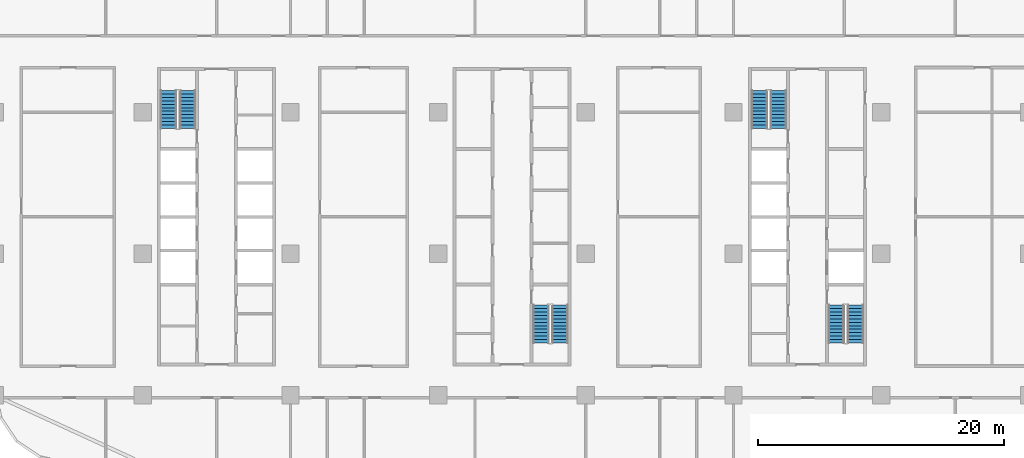
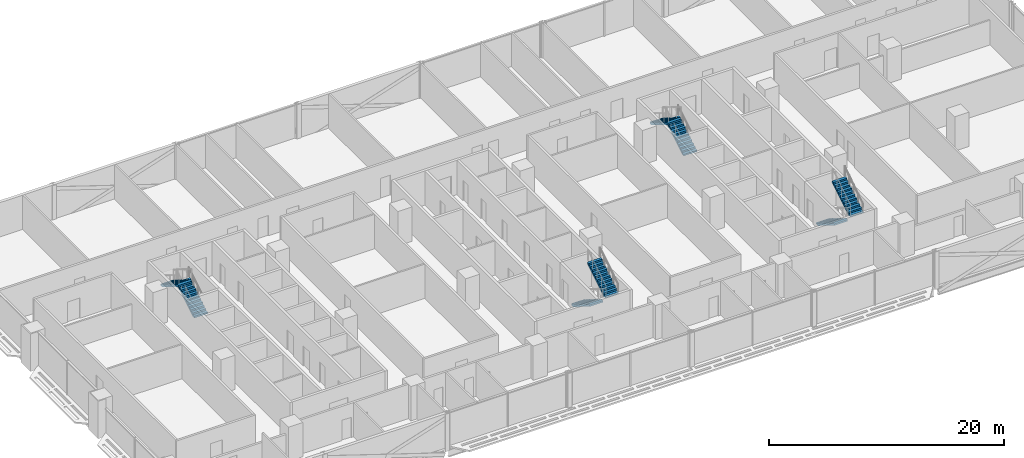
# One storey, part 18 of 29: 8 stair flights, 4 elements without a shape of their own.
"""IFC4 building model written with IfcOpenShell, lengths in metres."""

from ifc_helpers import new_model, si_unit, direction, frame, origin, place, context, subcontext, project, spatial, polyline, outline, extrude, material, type_object, element, aggregate, save


model = new_model("IFC4")

# Units and contexts
model_context = context("Model", 3, precision=1e-05, world=origin(), true_north=direction((0.0, 1.0)))
body_context = subcontext(model_context, "Body", "Model", "MODEL_VIEW")
ifc_project = project(units=[si_unit("LENGTHUNIT", "METRE"), si_unit("AREAUNIT", "SQUARE_METRE"), si_unit("VOLUMEUNIT", "CUBIC_METRE"), si_unit("PLANEANGLEUNIT", "RADIAN"), si_unit("MASSUNIT", "GRAM", prefix="KILO")], contexts=[model_context])

# Site, building, storey
site_placement = place(None, origin())
site = spatial("IfcSite", under=ifc_project, at=site_placement, CompositionType="ELEMENT")
building_placement = place(site_placement, origin())
building = spatial("IfcBuilding", under=site, at=building_placement, Name="Mahtab Terrace Research Tower", CompositionType="ELEMENT")
storey_placement = place(building_placement, frame((0.0, 0.0, 113.5)))
storey = spatial("IfcBuildingStorey", under=building, at=storey_placement, Name="L26", CompositionType="ELEMENT", Elevation=113.5)

# Stair, stair flights
ifc_material_1 = material(Name="Exit stair half-turn")
stair_type = type_object("IfcStairType", Name="Exit stair half-turn", PredefinedType="HALF_TURN_STAIR", material=ifc_material_1)
stair_1_placement = place(storey_placement, origin())
stair_1 = element("IfcStair", 1, at=stair_1_placement, inside=storey, type_object=stair_type, Name="L26 Protected exit stair ST1", PredefinedType="HALF_TURN_STAIR")
ifc_material_2 = material(Name="Concrete C40/50", Category="concrete")
stair_flight_type = type_object("IfcStairFlightType", Name="Exit stair flight 1300", PredefinedType="STRAIGHT", material=ifc_material_2)
stair_flight_1_placement = place(storey_placement, frame((-26.35009765625, 10.175048828125, 0.0), z_axis=(0.0, 0.0, 1.0), x_axis=(0.0, 1.0, 0.0)))
stair_flight_1 = element("IfcStairFlight", 2, at=stair_flight_1_placement, type_object=stair_flight_type, Name="ST1 flight 1", NumberOfRisers=12, NumberOfTreads=11, PredefinedType="STRAIGHT", RiserHeight=0.170833333, TreadLength=0.28, context=body_context, shape_type="SweptSolid", body=[
    extrude(outline(polyline([(0.0, 0.0), (0.0, 0.1708984375), (0.280029296875, 0.1708984375), (0.280029296875, 0.341552734375), (0.56005859375, 0.341552734375), (0.56005859375, 0.512451171875), (0.840087890625, 0.512451171875), (0.840087890625, 0.683349609375), (1.1201171875, 0.683349609375), (1.1201171875, 0.854248046875), (1.39990234375, 0.854248046875), (1.39990234375, 1.02490234375), (1.679931640625, 1.02490234375), (1.679931640625, 1.19580078125), (1.9599609375, 1.19580078125), (1.9599609375, 1.36669921875), (2.239990234375, 1.36669921875), (2.239990234375, 1.53759765625), (2.52001953125, 1.53759765625), (2.52001953125, 1.708251953125), (2.800048828125, 1.708251953125), (2.800048828125, 1.879150390625), (3.080078125, 1.879150390625), (3.080078125, 2.050048828125), (3.080078125, 1.70361328125), (0.287841796875, 0.0), (0.0, 0.0)])), frame((0.0, 0.64990234375, 0.0), z_axis=(0.0, -1.0, 0.0), x_axis=(1.0, 0.0, 0.0)), (0.0, 0.0, 1.0), 1.300048828125),
])
stair_flight_2_placement = place(storey_placement, frame((-27.89990234375, 13.2548828125, 2.050048828125), z_axis=(0.0, 0.0, 1.0), x_axis=(0.0, -1.0, 0.0)))
stair_flight_2 = element("IfcStairFlight", 3, at=stair_flight_2_placement, type_object=stair_flight_type, Name="ST1 flight 2", NumberOfRisers=12, NumberOfTreads=11, PredefinedType="STRAIGHT", RiserHeight=0.170833333, TreadLength=0.28, context=body_context, shape_type="SweptSolid", body=[
    extrude(outline(polyline([(0.0, 0.0), (0.0, 0.1708984375), (0.280029296875, 0.1708984375), (0.280029296875, 0.341552734375), (0.56005859375, 0.341552734375), (0.56005859375, 0.512451171875), (0.840087890625, 0.512451171875), (0.840087890625, 0.683349609375), (1.1201171875, 0.683349609375), (1.1201171875, 0.854248046875), (1.39990234375, 0.854248046875), (1.39990234375, 1.02490234375), (1.679931640625, 1.02490234375), (1.679931640625, 1.19580078125), (1.9599609375, 1.19580078125), (1.9599609375, 1.36669921875), (2.239990234375, 1.36669921875), (2.239990234375, 1.53759765625), (2.52001953125, 1.53759765625), (2.52001953125, 1.708251953125), (2.800048828125, 1.708251953125), (2.800048828125, 1.879150390625), (3.080078125, 1.879150390625), (3.080078125, 2.050048828125), (3.080078125, 1.70361328125), (0.287841796875, 0.0), (0.0, 0.0)])), frame((0.0, 0.64990234375, 0.0), z_axis=(0.0, -1.0, 0.0), x_axis=(1.0, 0.0, 0.0)), (0.0, 0.0, 1.0), 1.300048828125),
])
aggregate(stair_1, [stair_flight_1, stair_flight_2])

stair_2_placement = place(storey_placement, origin())
stair_2 = element("IfcStair", 4, at=stair_2_placement, inside=storey, type_object=stair_type, Name="L26 Protected exit stair ST2", PredefinedType="HALF_TURN_STAIR")
stair_flight_3_placement = place(storey_placement, frame((2.35009765625, -4.175048828125, 0.0), z_axis=(0.0, 0.0, 1.0), x_axis=(0.0, -1.0, 0.0)))
stair_flight_3 = element("IfcStairFlight", 5, at=stair_flight_3_placement, type_object=stair_flight_type, Name="ST2 flight 1", NumberOfRisers=12, NumberOfTreads=11, PredefinedType="STRAIGHT", RiserHeight=0.170833333, TreadLength=0.28, context=body_context, shape_type="SweptSolid", body=[
    extrude(outline(polyline([(0.0, 0.0), (0.0, 0.1708984375), (0.280029296875, 0.1708984375), (0.280029296875, 0.341552734375), (0.56005859375, 0.341552734375), (0.56005859375, 0.512451171875), (0.840087890625, 0.512451171875), (0.840087890625, 0.683349609375), (1.1201171875, 0.683349609375), (1.1201171875, 0.854248046875), (1.39990234375, 0.854248046875), (1.39990234375, 1.02490234375), (1.679931640625, 1.02490234375), (1.679931640625, 1.19580078125), (1.9599609375, 1.19580078125), (1.9599609375, 1.36669921875), (2.239990234375, 1.36669921875), (2.239990234375, 1.53759765625), (2.52001953125, 1.53759765625), (2.52001953125, 1.708251953125), (2.800048828125, 1.708251953125), (2.800048828125, 1.879150390625), (3.080078125, 1.879150390625), (3.080078125, 2.050048828125), (3.080078125, 1.70361328125), (0.287841796875, 0.0), (0.0, 0.0)])), frame((0.0, 0.64990234375, 0.0), z_axis=(0.0, -1.0, 0.0), x_axis=(1.0, 0.0, 0.0)), (0.0, 0.0, 1.0), 1.300048828125),
])
stair_flight_4_placement = place(storey_placement, frame((3.89990234375, -7.2548828125, 2.050048828125), z_axis=(0.0, 0.0, 1.0), x_axis=(0.0, 1.0, 0.0)))
stair_flight_4 = element("IfcStairFlight", 6, at=stair_flight_4_placement, type_object=stair_flight_type, Name="ST2 flight 2", NumberOfRisers=12, NumberOfTreads=11, PredefinedType="STRAIGHT", RiserHeight=0.170833333, TreadLength=0.28, context=body_context, shape_type="SweptSolid", body=[
    extrude(outline(polyline([(0.0, 0.0), (0.0, 0.1708984375), (0.280029296875, 0.1708984375), (0.280029296875, 0.341552734375), (0.56005859375, 0.341552734375), (0.56005859375, 0.512451171875), (0.840087890625, 0.512451171875), (0.840087890625, 0.683349609375), (1.1201171875, 0.683349609375), (1.1201171875, 0.854248046875), (1.39990234375, 0.854248046875), (1.39990234375, 1.02490234375), (1.679931640625, 1.02490234375), (1.679931640625, 1.19580078125), (1.9599609375, 1.19580078125), (1.9599609375, 1.36669921875), (2.239990234375, 1.36669921875), (2.239990234375, 1.53759765625), (2.52001953125, 1.53759765625), (2.52001953125, 1.708251953125), (2.800048828125, 1.708251953125), (2.800048828125, 1.879150390625), (3.080078125, 1.879150390625), (3.080078125, 2.050048828125), (3.080078125, 1.70361328125), (0.287841796875, 0.0), (0.0, 0.0)])), frame((0.0, 0.64990234375, 0.0), z_axis=(0.0, -1.0, 0.0), x_axis=(1.0, 0.0, 0.0)), (0.0, 0.0, 1.0), 1.300048828125),
])
aggregate(stair_2, [stair_flight_3, stair_flight_4])

stair_3_placement = place(storey_placement, origin())
stair_3 = element("IfcStair", 7, at=stair_3_placement, inside=storey, type_object=stair_type, Name="L26 Protected exit stair ST3", PredefinedType="HALF_TURN_STAIR")
stair_flight_5_placement = place(storey_placement, frame((21.64990234375, 10.175048828125, 0.0), z_axis=(0.0, 0.0, 1.0), x_axis=(0.0, 1.0, 0.0)))
stair_flight_5 = element("IfcStairFlight", 8, at=stair_flight_5_placement, type_object=stair_flight_type, Name="ST3 flight 1", NumberOfRisers=12, NumberOfTreads=11, PredefinedType="STRAIGHT", RiserHeight=0.170833333, TreadLength=0.28, context=body_context, shape_type="SweptSolid", body=[
    extrude(outline(polyline([(0.0, 0.0), (0.0, 0.1708984375), (0.280029296875, 0.1708984375), (0.280029296875, 0.341552734375), (0.56005859375, 0.341552734375), (0.56005859375, 0.512451171875), (0.840087890625, 0.512451171875), (0.840087890625, 0.683349609375), (1.1201171875, 0.683349609375), (1.1201171875, 0.854248046875), (1.39990234375, 0.854248046875), (1.39990234375, 1.02490234375), (1.679931640625, 1.02490234375), (1.679931640625, 1.19580078125), (1.9599609375, 1.19580078125), (1.9599609375, 1.36669921875), (2.239990234375, 1.36669921875), (2.239990234375, 1.53759765625), (2.52001953125, 1.53759765625), (2.52001953125, 1.708251953125), (2.800048828125, 1.708251953125), (2.800048828125, 1.879150390625), (3.080078125, 1.879150390625), (3.080078125, 2.050048828125), (3.080078125, 1.70361328125), (0.287841796875, 0.0), (0.0, 0.0)])), frame((0.0, 0.64990234375, 0.0), z_axis=(0.0, -1.0, 0.0), x_axis=(1.0, 0.0, 0.0)), (0.0, 0.0, 1.0), 1.300048828125),
])
stair_flight_6_placement = place(storey_placement, frame((20.10009765625, 13.2548828125, 2.050048828125), z_axis=(0.0, 0.0, 1.0), x_axis=(0.0, -1.0, 0.0)))
stair_flight_6 = element("IfcStairFlight", 9, at=stair_flight_6_placement, type_object=stair_flight_type, Name="ST3 flight 2", NumberOfRisers=12, NumberOfTreads=11, PredefinedType="STRAIGHT", RiserHeight=0.170833333, TreadLength=0.28, context=body_context, shape_type="SweptSolid", body=[
    extrude(outline(polyline([(0.0, 0.0), (0.0, 0.1708984375), (0.280029296875, 0.1708984375), (0.280029296875, 0.341552734375), (0.56005859375, 0.341552734375), (0.56005859375, 0.512451171875), (0.840087890625, 0.512451171875), (0.840087890625, 0.683349609375), (1.1201171875, 0.683349609375), (1.1201171875, 0.854248046875), (1.39990234375, 0.854248046875), (1.39990234375, 1.02490234375), (1.679931640625, 1.02490234375), (1.679931640625, 1.19580078125), (1.9599609375, 1.19580078125), (1.9599609375, 1.36669921875), (2.239990234375, 1.36669921875), (2.239990234375, 1.53759765625), (2.52001953125, 1.53759765625), (2.52001953125, 1.708251953125), (2.800048828125, 1.708251953125), (2.800048828125, 1.879150390625), (3.080078125, 1.879150390625), (3.080078125, 2.050048828125), (3.080078125, 1.70361328125), (0.287841796875, 0.0), (0.0, 0.0)])), frame((0.0, 0.64990234375, 0.0), z_axis=(0.0, -1.0, 0.0), x_axis=(1.0, 0.0, 0.0)), (0.0, 0.0, 1.0), 1.300048828125),
])
aggregate(stair_3, [stair_flight_5, stair_flight_6])

stair_4_placement = place(storey_placement, origin())
stair_4 = element("IfcStair", 10, at=stair_4_placement, inside=storey, type_object=stair_type, Name="L26 Protected exit stair ST4", PredefinedType="HALF_TURN_STAIR")
stair_flight_7_placement = place(storey_placement, frame((26.35009765625, -4.175048828125, 0.0), z_axis=(0.0, 0.0, 1.0), x_axis=(0.0, -1.0, 0.0)))
stair_flight_7 = element("IfcStairFlight", 11, at=stair_flight_7_placement, type_object=stair_flight_type, Name="ST4 flight 1", NumberOfRisers=12, NumberOfTreads=11, PredefinedType="STRAIGHT", RiserHeight=0.170833333, TreadLength=0.28, context=body_context, shape_type="SweptSolid", body=[
    extrude(outline(polyline([(0.0, 0.0), (0.0, 0.1708984375), (0.280029296875, 0.1708984375), (0.280029296875, 0.341552734375), (0.56005859375, 0.341552734375), (0.56005859375, 0.512451171875), (0.840087890625, 0.512451171875), (0.840087890625, 0.683349609375), (1.1201171875, 0.683349609375), (1.1201171875, 0.854248046875), (1.39990234375, 0.854248046875), (1.39990234375, 1.02490234375), (1.679931640625, 1.02490234375), (1.679931640625, 1.19580078125), (1.9599609375, 1.19580078125), (1.9599609375, 1.36669921875), (2.239990234375, 1.36669921875), (2.239990234375, 1.53759765625), (2.52001953125, 1.53759765625), (2.52001953125, 1.708251953125), (2.800048828125, 1.708251953125), (2.800048828125, 1.879150390625), (3.080078125, 1.879150390625), (3.080078125, 2.050048828125), (3.080078125, 1.70361328125), (0.287841796875, 0.0), (0.0, 0.0)])), frame((0.0, 0.64990234375, 0.0), z_axis=(0.0, -1.0, 0.0), x_axis=(1.0, 0.0, 0.0)), (0.0, 0.0, 1.0), 1.300048828125),
])
stair_flight_8_placement = place(storey_placement, frame((27.89990234375, -7.2548828125, 2.050048828125), z_axis=(0.0, 0.0, 1.0), x_axis=(0.0, 1.0, 0.0)))
stair_flight_8 = element("IfcStairFlight", 12, at=stair_flight_8_placement, type_object=stair_flight_type, Name="ST4 flight 2", NumberOfRisers=12, NumberOfTreads=11, PredefinedType="STRAIGHT", RiserHeight=0.170833333, TreadLength=0.28, context=body_context, shape_type="SweptSolid", body=[
    extrude(outline(polyline([(0.0, 0.0), (0.0, 0.1708984375), (0.280029296875, 0.1708984375), (0.280029296875, 0.341552734375), (0.56005859375, 0.341552734375), (0.56005859375, 0.512451171875), (0.840087890625, 0.512451171875), (0.840087890625, 0.683349609375), (1.1201171875, 0.683349609375), (1.1201171875, 0.854248046875), (1.39990234375, 0.854248046875), (1.39990234375, 1.02490234375), (1.679931640625, 1.02490234375), (1.679931640625, 1.19580078125), (1.9599609375, 1.19580078125), (1.9599609375, 1.36669921875), (2.239990234375, 1.36669921875), (2.239990234375, 1.53759765625), (2.52001953125, 1.53759765625), (2.52001953125, 1.708251953125), (2.800048828125, 1.708251953125), (2.800048828125, 1.879150390625), (3.080078125, 1.879150390625), (3.080078125, 2.050048828125), (3.080078125, 1.70361328125), (0.287841796875, 0.0), (0.0, 0.0)])), frame((0.0, 0.64990234375, 0.0), z_axis=(0.0, -1.0, 0.0), x_axis=(1.0, 0.0, 0.0)), (0.0, 0.0, 1.0), 1.300048828125),
])
aggregate(stair_4, [stair_flight_7, stair_flight_8])

save(model, "model.ifc")
